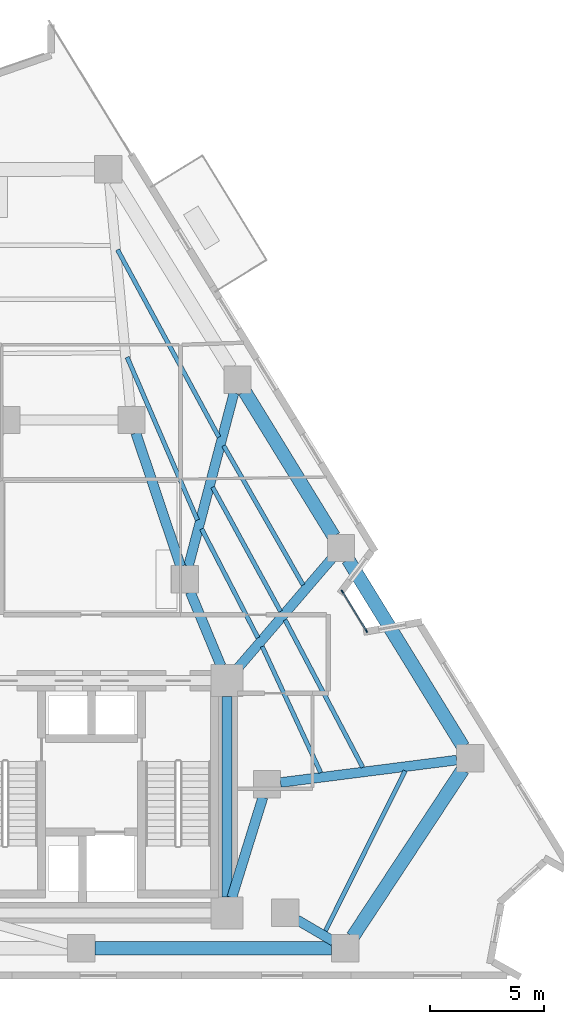
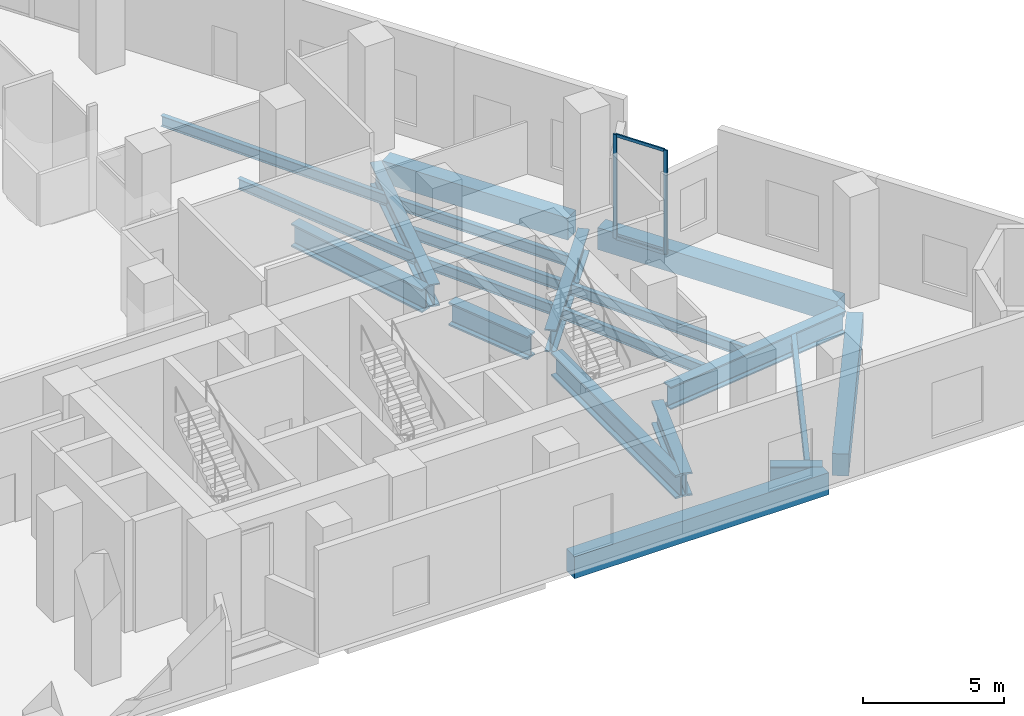
# One storey, part 4 of 13: 20 beams, 4 members, 1 element without a shape of its own.
"""IFC4 building model written with IfcOpenShell, lengths in metres."""

from ifc_helpers import new_model, si_unit, direction, frame, origin, origin_2d, place, context, subcontext, project, spatial, rectangle, i_section, extrude, material, layer, layer_set, material_profile, profile_set, type_object, element, aggregate, save


model = new_model("IFC4")

# Units and contexts
model_context = context("Model", 3, precision=1e-05, world=origin(), true_north=direction((0.0, 1.0)))
body_context = subcontext(model_context, "Body", "Model", "MODEL_VIEW")
ifc_project = project(units=[si_unit("LENGTHUNIT", "METRE"), si_unit("AREAUNIT", "SQUARE_METRE"), si_unit("VOLUMEUNIT", "CUBIC_METRE"), si_unit("PLANEANGLEUNIT", "RADIAN"), si_unit("MASSUNIT", "GRAM", prefix="KILO")], contexts=[model_context])

# Site, building, storey
site_placement = place(None, origin())
site = spatial("IfcSite", under=ifc_project, at=site_placement, CompositionType="ELEMENT")
building_placement = place(site_placement, origin())
building = spatial("IfcBuilding", under=site, at=building_placement, Name="Almagre Mirador Tower", CompositionType="ELEMENT")
storey_placement = place(building_placement, frame((0.0, 0.0, 100.199951171875)))
storey = spatial("IfcBuildingStorey", under=building, at=storey_placement, Name="L25", CompositionType="ELEMENT", Elevation=100.199951171875)

# Beams
ifc_material_1 = material(Name="Steel ASTM A992 Grade 50", Category="steel")
ifc_material_profile_1 = material_profile(ifc_material_1, i_section(OverallWidth=0.19091796875, OverallDepth=0.4599609375, WebThickness=0.010009765625, FlangeThickness=0.01611328125, FilletRadius=0.01611328125, at=origin_2d()), Name="W18X55")
ifc_profile_set_1 = profile_set([ifc_material_profile_1], Name="Steel ASTM A992 Grade 50")
beam_type_1 = type_object("IfcBeamType", Name="BM-JST-W18X55", PredefinedType="JOIST", material=ifc_profile_set_1)
beam_1_placement = place(storey_placement, frame((51.36865234375, 3.75927734375, -0.530029296875), z_axis=(0.445858512844, 0.89510345018, 0.0), x_axis=(-0.89510345018, 0.445858512844, 0.0)))
element("IfcBeam", 1, at=beam_1_placement, inside=storey, type_object=beam_type_1, Name="L25 secondary floor joist PC04-PC05.1", PredefinedType="JOIST", context=body_context, shape_type="SweptSolid", body=[
    extrude(i_section(OverallWidth=0.19091796875, OverallDepth=0.4599609375, WebThickness=0.010009765625, FlangeThickness=0.01611328125, FilletRadius=0.01611328125, at=origin_2d()), origin(), (0.0, 0.0, 1.0), 7.858154296875),
])
beam_2_placement = place(storey_placement, frame((53.010498046875, 10.937744140625, -0.530029296875), z_axis=(-0.466003449067, 0.884782903009, 0.0), x_axis=(-0.884782903009, -0.466003449067, 0.0)))
element("IfcBeam", 2, at=beam_2_placement, inside=storey, type_object=beam_type_1, Name="L25 secondary floor joist PC05-PC06.2", PredefinedType="JOIST", context=body_context, shape_type="SweptSolid", body=[
    extrude(i_section(OverallWidth=0.19091796875, OverallDepth=0.4599609375, WebThickness=0.010009765625, FlangeThickness=0.01611328125, FilletRadius=0.01611328125, at=origin_2d()), origin(), (0.0, 0.0, 1.0), 7.320556640625),
])
beam_3_placement = place(storey_placement, frame((51.16259765625, 10.7060546875, -0.530029296875), z_axis=(-0.420643946583, 0.90722580993, 0.0), x_axis=(-0.90722580993, -0.420643946583, 0.0)))
element("IfcBeam", 3, at=beam_3_placement, inside=storey, type_object=beam_type_1, Name="L25 secondary floor joist PC05-PC06.3", PredefinedType="JOIST", context=body_context, shape_type="SweptSolid", body=[
    extrude(i_section(OverallWidth=0.19091796875, OverallDepth=0.4599609375, WebThickness=0.010009765625, FlangeThickness=0.01611328125, FilletRadius=0.01611328125, at=origin_2d()), origin(), (0.0, 0.0, 1.0), 6.109375),
])
beam_4_placement = place(storey_placement, frame((50.39013671875, 18.951416015625, -0.530029296875), z_axis=(-0.495455919477, 0.868633082409, 0.0), x_axis=(-0.868633082409, -0.495455919477, 0.0)))
element("IfcBeam", 4, at=beam_4_placement, inside=storey, type_object=beam_type_1, Name="L25 secondary floor joist PC06-PC07.1", PredefinedType="JOIST", context=body_context, shape_type="SweptSolid", body=[
    extrude(i_section(OverallWidth=0.19091796875, OverallDepth=0.4599609375, WebThickness=0.010009765625, FlangeThickness=0.01611328125, FilletRadius=0.01611328125, at=origin_2d()), origin(), (0.0, 0.0, 1.0), 7.0458984375),
])
beam_5_placement = place(storey_placement, frame((49.396728515625, 17.7919921875, -0.530029296875), z_axis=(-0.479727277222, 0.877417653965, 0.0), x_axis=(-0.877417653965, -0.479727277222, 0.0)))
element("IfcBeam", 5, at=beam_5_placement, inside=storey, type_object=beam_type_1, Name="L25 secondary floor joist PC06-PC07.2", PredefinedType="JOIST", context=body_context, shape_type="SweptSolid", body=[
    extrude(i_section(OverallWidth=0.19091796875, OverallDepth=0.4599609375, WebThickness=0.010009765625, FlangeThickness=0.01611328125, FilletRadius=0.01611328125, at=origin_2d()), origin(), (0.0, 0.0, 1.0), 6.2138671875),
])
beam_6_placement = place(storey_placement, frame((48.404296875, 16.6328125, -0.530029296875), z_axis=(-0.459287235834, 0.888287810904, 0.0), x_axis=(-0.888287810904, -0.459287235834, 0.0)))
element("IfcBeam", 6, at=beam_6_placement, inside=storey, type_object=beam_type_1, Name="L25 secondary floor joist PC06-PC07.3", PredefinedType="JOIST", context=body_context, shape_type="SweptSolid", body=[
    extrude(i_section(OverallWidth=0.19091796875, OverallDepth=0.4599609375, WebThickness=0.010009765625, FlangeThickness=0.01611328125, FilletRadius=0.01611328125, at=origin_2d()), origin(), (0.0, 0.0, 1.0), 5.384765625),
])
beam_7_placement = place(storey_placement, frame((46.69140625, 25.44580078125, -0.530029296875), z_axis=(-0.475871200759, 0.879514980139, 0.0), x_axis=(-0.879514980139, -0.475871200759, 0.0)))
element("IfcBeam", 7, at=beam_7_placement, inside=storey, type_object=beam_type_1, Name="L25 secondary floor joist PC07-PC08.1", PredefinedType="JOIST", context=body_context, shape_type="SweptSolid", body=[
    extrude(i_section(OverallWidth=0.19091796875, OverallDepth=0.4599609375, WebThickness=0.010009765625, FlangeThickness=0.01611328125, FilletRadius=0.01611328125, at=origin_2d()), origin(), (0.0, 0.0, 1.0), 9.356201171875),
])
beam_8_placement = place(storey_placement, frame((45.748046875, 21.802490234375, -0.530029296875), z_axis=(-0.396311768179, 0.918115996159, 0.0), x_axis=(-0.918115996159, -0.396311768179, 0.0)))
element("IfcBeam", 8, at=beam_8_placement, inside=storey, type_object=beam_type_1, Name="L25 secondary floor joist PC07-PC08.3", PredefinedType="JOIST", context=body_context, shape_type="SweptSolid", body=[
    extrude(i_section(OverallWidth=0.19091796875, OverallDepth=0.4599609375, WebThickness=0.010009765625, FlangeThickness=0.01611328125, FilletRadius=0.01611328125, at=origin_2d()), origin(), (0.0, 0.0, 1.0), 7.79150390625),
])
ifc_material_2 = material(Name="Precast concrete C50/60", Category="concrete")
ifc_material_profile_2 = material_profile(ifc_material_2, rectangle(XDim=0.60009765625, YDim=0.949951171875, at=origin_2d()), Name="RC600X950")
ifc_profile_set_2 = profile_set([ifc_material_profile_2], Name="Precast concrete C50/60")
beam_type_2 = type_object("IfcBeamType", Name="BM-SPN-RC600X950", PredefinedType="SPANDREL", material=ifc_profile_set_2)
beam_9_placement = place(storey_placement, frame((41.239990234375, 3.0, -0.77490234375), z_axis=(1.0, 0.0, 0.0), x_axis=(0.0, 1.0, 0.0)))
element("IfcBeam", 9, at=beam_9_placement, inside=storey, type_object=beam_type_2, Name="L25 perimeter spandrel beam PC03-PC04", PredefinedType="SPANDREL", context=body_context, shape_type="SweptSolid", body=[
    extrude(rectangle(XDim=0.60009765625, YDim=0.949951171875, at=origin_2d()), origin(), (0.0, 0.0, 1.0), 10.39990234375),
])
beam_10_placement = place(storey_placement, frame((52.570068359375, 3.501220703125, -0.77490234375), z_axis=(0.550014218611, 0.835155290545, 0.0), x_axis=(-0.835155290545, 0.550014218611, 0.0)))
element("IfcBeam", 10, at=beam_10_placement, inside=storey, type_object=beam_type_2, Name="L25 perimeter spandrel beam PC04-PC05", PredefinedType="SPANDREL", context=body_context, shape_type="SweptSolid", body=[
    extrude(rectangle(XDim=0.60009765625, YDim=0.949951171875, at=origin_2d()), origin(), (0.0, 0.0, 1.0), 8.78125),
])
beam_11_placement = place(storey_placement, frame((57.415771484375, 11.84716796875, -0.77490234375), z_axis=(-0.523677963784, 0.85191630472, 0.0), x_axis=(-0.85191630472, -0.523677963784, 0.0)))
element("IfcBeam", 11, at=beam_11_placement, inside=storey, type_object=beam_type_2, Name="L25 perimeter spandrel beam PC05-PC06", PredefinedType="SPANDREL", context=body_context, shape_type="SweptSolid", body=[
    extrude(rectangle(XDim=0.60009765625, YDim=0.949951171875, at=origin_2d()), origin(), (0.0, 0.0, 1.0), 9.646240234375),
])
beam_12_placement = place(storey_placement, frame((51.73583984375, 21.087158203125, -0.77490234375), z_axis=(-0.523685630809, 0.851911591707, 0.0), x_axis=(-0.851911591707, -0.523685630809, 0.0)))
element("IfcBeam", 12, at=beam_12_placement, inside=storey, type_object=beam_type_2, Name="L25 perimeter spandrel beam PC06-PC07", PredefinedType="SPANDREL", context=body_context, shape_type="SweptSolid", body=[
    extrude(rectangle(XDim=0.60009765625, YDim=0.949951171875, at=origin_2d()), origin(), (0.0, 0.0, 1.0), 7.476806640625),
])
ifc_material_3 = material(Name="Steel ASTM A992 Grade 50", Category="steel")
ifc_material_profile_3 = material_profile(ifc_material_3, i_section(OverallWidth=0.427978515625, OverallDepth=0.97509765625, WebThickness=0.031005859375, FlangeThickness=0.055908203125, FilletRadius=0.028076171875, at=origin_2d()), Name="W36X395")
ifc_profile_set_3 = profile_set([ifc_material_profile_3], Name="Steel ASTM A992 Grade 50")
beam_type_3 = type_object("IfcBeamType", Name="BM-STL-W36X395", PredefinedType="BEAM", material=ifc_profile_set_3)
beam_13_placement = place(storey_placement, frame((51.72265625, 3.3037109375, -0.787353515625), z_axis=(-0.862372214541, 0.50627479059, 0.0), x_axis=(-0.50627479059, -0.862372214541, 0.0)))
element("IfcBeam", 13, at=beam_13_placement, inside=storey, type_object=beam_type_3, Name="L25 radial floor girder PC04-MC2", PredefinedType="BEAM", context=body_context, shape_type="SweptSolid", body=[
    extrude(i_section(OverallWidth=0.427978515625, OverallDepth=0.97509765625, WebThickness=0.031005859375, FlangeThickness=0.055908203125, FilletRadius=0.028076171875, at=origin_2d()), origin(), (0.0, 0.0, 1.0), 1.861328125),
])
beam_14_placement = place(storey_placement, frame((57.134765625, 11.26025390625, -0.787353515625), z_axis=(-0.992004466141, -0.126202770006, 0.0), x_axis=(0.126202770006, -0.992004466141, 0.0)))
element("IfcBeam", 14, at=beam_14_placement, inside=storey, type_object=beam_type_3, Name="L25 radial floor girder PC05-MC3", PredefinedType="BEAM", context=body_context, shape_type="SweptSolid", body=[
    extrude(i_section(OverallWidth=0.427978515625, OverallDepth=0.97509765625, WebThickness=0.031005859375, FlangeThickness=0.055908203125, FilletRadius=0.028076171875, at=origin_2d()), origin(), (0.0, 0.0, 1.0), 7.802001953125),
])
beam_15_placement = place(storey_placement, frame((51.6591796875, 20.12060546875, -0.787353515625), z_axis=(-0.651270456957, -0.758845697026, 0.0), x_axis=(0.758845697026, -0.651270456957, 0.0)))
element("IfcBeam", 15, at=beam_15_placement, inside=storey, type_object=beam_type_3, Name="L25 radial floor girder PC06-CC6", PredefinedType="BEAM", context=body_context, shape_type="SweptSolid", body=[
    extrude(i_section(OverallWidth=0.427978515625, OverallDepth=0.97509765625, WebThickness=0.031005859375, FlangeThickness=0.055908203125, FilletRadius=0.028076171875, at=origin_2d()), origin(), (0.0, 0.0, 1.0), 6.377197265625),
])
beam_16_placement = place(storey_placement, frame((47.353515625, 27.3876953125, -0.787353515625), z_axis=(-0.25437719106, -0.967105084605, 0.0), x_axis=(0.967105084605, -0.25437719106, 0.0)))
element("IfcBeam", 16, at=beam_16_placement, inside=storey, type_object=beam_type_3, Name="L25 radial floor girder PC07-MC5", PredefinedType="BEAM", context=body_context, shape_type="SweptSolid", body=[
    extrude(i_section(OverallWidth=0.427978515625, OverallDepth=0.97509765625, WebThickness=0.031005859375, FlangeThickness=0.055908203125, FilletRadius=0.028076171875, at=origin_2d()), origin(), (0.0, 0.0, 1.0), 7.8662109375),
])
ifc_material_4 = material(Name="Steel ASTM A992 Grade 50", Category="steel")
ifc_material_profile_4 = material_profile(ifc_material_4, i_section(OverallWidth=0.43701171875, OverallDepth=1.010986328125, WebThickness=0.041015625, FlangeThickness=0.073974609375, FilletRadius=0.028076171875, at=origin_2d()), Name="W36X529")
ifc_profile_set_4 = profile_set([ifc_material_profile_4], Name="Steel ASTM A992 Grade 50")
beam_type_4 = type_object("IfcBeamType", Name="BM-STL-W36X529", PredefinedType="BEAM", material=ifc_profile_set_4)
beam_17_placement = place(storey_placement, frame((47.050048828125, 5.25, -0.805419921875), z_axis=(0.0, 1.0, 0.0), x_axis=(-1.0, 0.0, 0.0)))
element("IfcBeam", 17, at=beam_17_placement, inside=storey, type_object=beam_type_4, Name="L25 core tie girder CC3-CC6", PredefinedType="BEAM", context=body_context, shape_type="SweptSolid", body=[
    extrude(i_section(OverallWidth=0.43701171875, OverallDepth=1.010986328125, WebThickness=0.041015625, FlangeThickness=0.073974609375, FilletRadius=0.028076171875, at=origin_2d()), origin(), (0.0, 0.0, 1.0), 8.800048828125),
])
beam_18_placement = place(storey_placement, frame((48.62255859375, 9.626953125, -0.805419921875), z_axis=(-0.295888328273, -0.955222538046, 0.0), x_axis=(0.955222538046, -0.295888328273, 0.0)))
element("IfcBeam", 18, at=beam_18_placement, inside=storey, type_object=beam_type_4, Name="L25 core tie girder MC3-CC3", PredefinedType="BEAM", context=body_context, shape_type="SweptSolid", body=[
    extrude(i_section(OverallWidth=0.43701171875, OverallDepth=1.010986328125, WebThickness=0.041015625, FlangeThickness=0.073974609375, FilletRadius=0.028076171875, at=origin_2d()), origin(), (0.0, 0.0, 1.0), 4.61474609375),
])
beam_19_placement = place(storey_placement, frame((45.430419921875, 18.64599609375, -0.805419921875), z_axis=(0.383856635851, -0.923392702545, 0.0), x_axis=(0.923392702545, 0.383856635851, 0.0)))
element("IfcBeam", 19, at=beam_19_placement, inside=storey, type_object=beam_type_4, Name="L25 core tie girder MC5-CC6", PredefinedType="BEAM", context=body_context, shape_type="SweptSolid", body=[
    extrude(i_section(OverallWidth=0.43701171875, OverallDepth=1.010986328125, WebThickness=0.041015625, FlangeThickness=0.073974609375, FilletRadius=0.028076171875, at=origin_2d()), origin(), (0.0, 0.0, 1.0), 3.51904296875),
])
beam_20_placement = place(storey_placement, frame((43.041015625, 25.631103515625, -0.805419921875), z_axis=(0.318252395552, -0.948006019351, 0.0), x_axis=(0.948006019351, 0.318252395552, 0.0)))
element("IfcBeam", 20, at=beam_20_placement, inside=storey, type_object=beam_type_4, Name="L25 core tie girder MC6-MC5", PredefinedType="BEAM", context=body_context, shape_type="SweptSolid", body=[
    extrude(i_section(OverallWidth=0.43701171875, OverallDepth=1.010986328125, WebThickness=0.041015625, FlangeThickness=0.073974609375, FilletRadius=0.028076171875, at=origin_2d()), origin(), (0.0, 0.0, 1.0), 6.183837890625),
])

# Curtain wall, members
ifc_material_5 = material(Name="Black anodized aluminium", Category="aluminium")
ifc_layer = layer(ifc_material_5, 0.169921875)
ifc_layer_set = layer_set([ifc_layer], Name="Black anodized aluminium")
curtain_wall_type = type_object("IfcCurtainWallType", Name="CW-CRS-SYS", PredefinedType="NOTDEFINED", material=ifc_layer_set)
curtain_wall_placement = place(storey_placement, origin())
curtain_wall = element("IfcCurtainWall", 21, at=curtain_wall_placement, inside=storey, type_object=curtain_wall_type, Name="L25 vertical crease curtain wall 05", PredefinedType="NOTDEFINED")
ifc_material_6 = material(Name="Black anodized aluminium", Category="aluminium")
ifc_material_profile_5 = material_profile(ifc_material_6, rectangle(XDim=0.06005859375, YDim=0.14990234375, at=origin_2d()), Name="CWM60X150")
ifc_profile_set_5 = profile_set([ifc_material_profile_5], Name="Black anodized aluminium")
member_type_1 = type_object("IfcMemberType", Name="MBR-CWM60X150", PredefinedType="MULLION", material=ifc_profile_set_5)
member_1_placement = place(storey_placement, frame((52.109619140625, 18.66455078125, 0.0), z_axis=(0.0, 0.0, 1.0), x_axis=(0.852085130871, 0.523403219085, 0.0)))
member_1 = element("IfcMember", 22, at=member_1_placement, type_object=member_type_1, Name="CW-4 mullion 1", PredefinedType="MULLION", context=body_context, shape_type="SweptSolid", body=[
    extrude(rectangle(XDim=0.06005859375, YDim=0.14990234375, at=origin_2d()), origin(), (0.0, 0.0, 1.0), 4.5),
])
member_2_placement = place(storey_placement, frame((53.17236328125, 16.9345703125, 0.0), z_axis=(0.0, 0.0, 1.0), x_axis=(0.852085130871, 0.523403219085, 0.0)))
member_2 = element("IfcMember", 23, at=member_2_placement, type_object=member_type_1, Name="CW-4 mullion 2", PredefinedType="MULLION", context=body_context, shape_type="SweptSolid", body=[
    extrude(rectangle(XDim=0.06005859375, YDim=0.14990234375, at=origin_2d()), origin(), (0.0, 0.0, 1.0), 4.5),
])
ifc_material_7 = material(Name="Black anodized aluminium", Category="aluminium")
ifc_material_profile_6 = material_profile(ifc_material_7, rectangle(XDim=0.06005859375, YDim=0.1298828125, at=origin_2d()), Name="CWT60X130")
ifc_profile_set_6 = profile_set([ifc_material_profile_6], Name="Black anodized aluminium")
member_type_2 = type_object("IfcMemberType", Name="MBR-CWT60X130", PredefinedType="USERDEFINED", material=ifc_profile_set_6)
member_3_placement = place(storey_placement, frame((52.12548828125, 18.638916015625, 0.030029296875), z_axis=(0.523343553055, -0.852121778548, 0.0), x_axis=(0.852121778548, 0.523343553055, 0.0)))
member_3 = element("IfcMember", 24, at=member_3_placement, type_object=member_type_2, Name="CW-4 transom 1.1", ObjectType="TRANSOM", PredefinedType="USERDEFINED", context=body_context, shape_type="SweptSolid", body=[
    extrude(rectangle(XDim=0.06005859375, YDim=0.1298828125, at=origin_2d()), origin(), (0.0, 0.0, 1.0), 1.969970703125),
])
member_4_placement = place(storey_placement, frame((52.12548828125, 18.638916015625, 4.469970703125), z_axis=(0.523343553055, -0.852121778548, 0.0), x_axis=(0.852121778548, 0.523343553055, 0.0)))
member_4 = element("IfcMember", 25, at=member_4_placement, type_object=member_type_2, Name="CW-4 transom 1.2", ObjectType="TRANSOM", PredefinedType="USERDEFINED", context=body_context, shape_type="SweptSolid", body=[
    extrude(rectangle(XDim=0.06005859375, YDim=0.1298828125, at=origin_2d()), origin(), (0.0, 0.0, 1.0), 1.969970703125),
])
aggregate(curtain_wall, [member_1, member_2, member_3, member_4])

save(model, "model.ifc")
